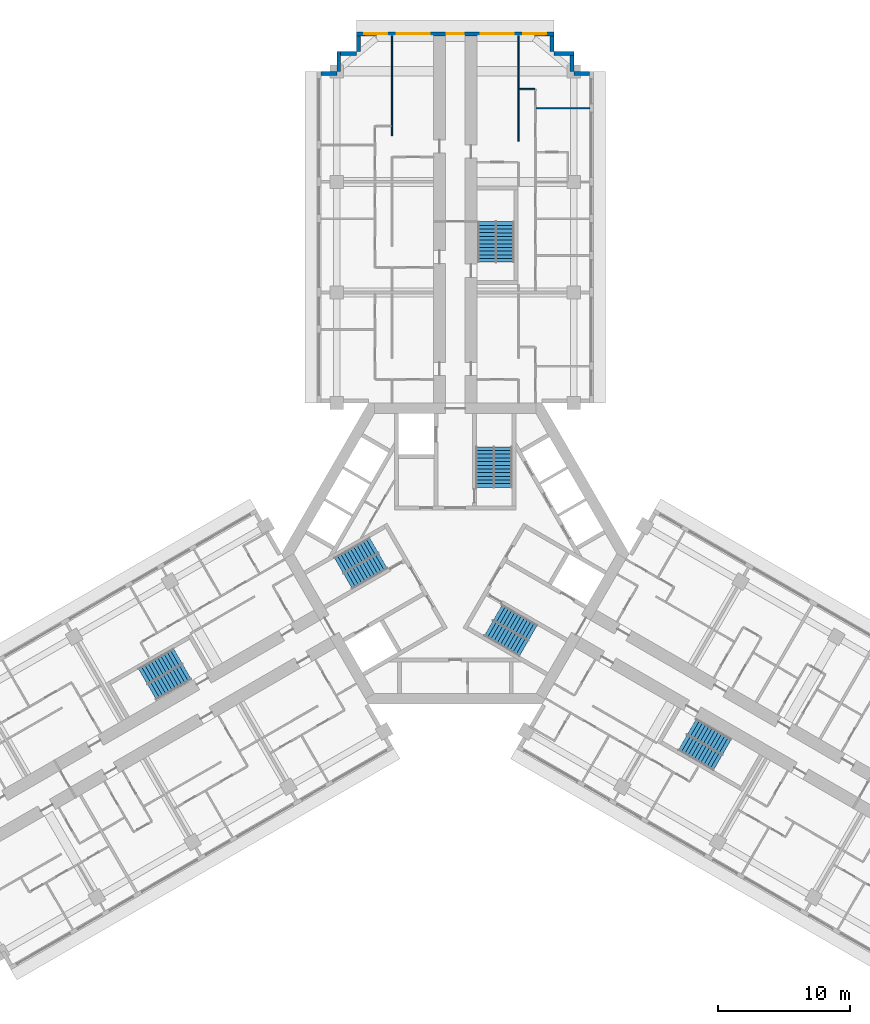
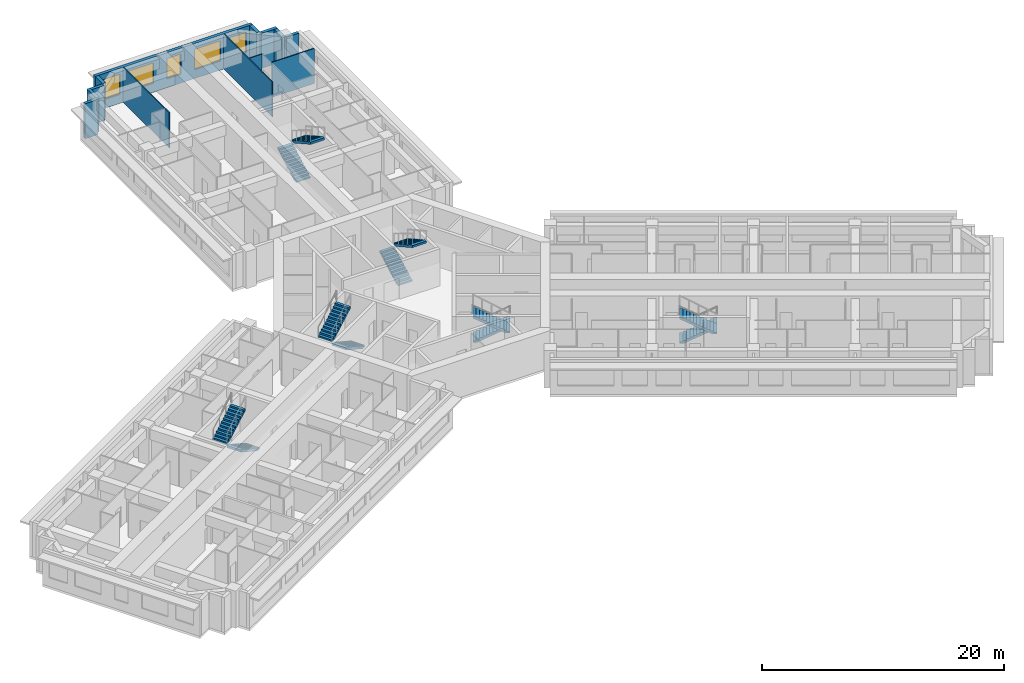
# One storey, part 13 of 14: 13 walls, 12 stair flights, 5 windows, 5 openings, 6 elements without a shape of their own.
"""IFC4 building model written with IfcOpenShell, lengths in metres."""

from ifc_helpers import new_model, si_unit, direction, frame, frame_2d, origin, place, context, subcontext, project, spatial, polyline, rectangle, outline, extrude, material, layer, layer_set, type_object, element, fill, aggregate, save


model = new_model("IFC4")

# Units and contexts
model_context = context("Model", 3, precision=1e-05, world=origin(), true_north=direction((0.0, 1.0)))
body_context = subcontext(model_context, "Body", "Model", "MODEL_VIEW")
ifc_project = project(units=[si_unit("LENGTHUNIT", "METRE"), si_unit("AREAUNIT", "SQUARE_METRE"), si_unit("VOLUMEUNIT", "CUBIC_METRE"), si_unit("PLANEANGLEUNIT", "RADIAN"), si_unit("MASSUNIT", "GRAM", prefix="KILO")], contexts=[model_context])

# Site, building, storey
site_placement = place(None, origin())
site = spatial("IfcSite", under=ifc_project, at=site_placement, CompositionType="ELEMENT")
building_placement = place(site_placement, origin())
building = spatial("IfcBuilding", under=site, at=building_placement, Name="Impinga Residences", CompositionType="ELEMENT")
storey_placement = place(building_placement, frame((0.0, 0.0, 117.25)))
storey = spatial("IfcBuildingStorey", under=building, at=storey_placement, Name="L28", CompositionType="ELEMENT", Elevation=117.25)

# Walls
ifc_material_1 = material(Name="Terracotta rainscreen on blockwork", Category="masonry")
ifc_layer_1 = layer(ifc_material_1, 0.300048828125)
ifc_layer_set_1 = layer_set([ifc_layer_1], Name="EW1 external wall, terracotta rainscreen on blockwork 300")
wall_type_1 = type_object("IfcWallType", Name="EW1 external wall, terracotta rainscreen on blockwork 300", PredefinedType="SOLIDWALL", material=ifc_layer_set_1)
wall_1_placement = place(storey_placement, frame((-10.199951171875, 36.4814453125, 0.0), z_axis=(0.0, 0.0, 1.0), x_axis=(1.0, 0.0, 0.0)))
element("IfcWall", 1, at=wall_1_placement, inside=storey, type_object=wall_type_1, Name="External wall EW1 L28", PredefinedType="SOLIDWALL", context=body_context, shape_type="SweptSolid", body=[
    extrude(rectangle(XDim=1.199951171875, YDim=0.300048828125, at=frame_2d((0.60009765625, 0.0))), origin(), (0.0, 0.0, 1.0), 3.530029296875),
])
wall_2_placement = place(storey_placement, frame((-8.85009765625, 36.636474609375, 0.0), z_axis=(0.0, 0.0, 1.0), x_axis=(0.0, 1.0, 0.0)))
element("IfcWall", 2, at=wall_2_placement, inside=storey, type_object=wall_type_1, Name="External wall EW1 L28", PredefinedType="SOLIDWALL", context=body_context, shape_type="SweptSolid", body=[
    extrude(rectangle(XDim=1.4951171875, YDim=0.300048828125, at=frame_2d((0.74755859375, 0.0))), origin(), (0.0, 0.0, 1.0), 3.530029296875),
])
wall_3_placement = place(storey_placement, frame((-8.699951171875, 37.9814453125, 0.0), z_axis=(0.0, 0.0, 1.0), x_axis=(1.0, 0.0, 0.0)))
element("IfcWall", 3, at=wall_3_placement, inside=storey, type_object=wall_type_1, Name="External wall EW1 L28", PredefinedType="SOLIDWALL", context=body_context, shape_type="SweptSolid", body=[
    extrude(rectangle(XDim=1.199951171875, YDim=0.300048828125, at=frame_2d((0.60009765625, 0.0))), origin(), (0.0, 0.0, 1.0), 3.530029296875),
])
wall_4_placement = place(storey_placement, frame((-7.35009765625, 38.136474609375, 0.0), z_axis=(0.0, 0.0, 1.0), x_axis=(0.0, 1.0, 0.0)))
element("IfcWall", 4, at=wall_4_placement, inside=storey, type_object=wall_type_1, Name="External wall EW1 L28", PredefinedType="SOLIDWALL", context=body_context, shape_type="SweptSolid", body=[
    extrude(rectangle(XDim=1.195068359375, YDim=0.300048828125, at=frame_2d((0.59765625, 0.0))), origin(), (0.0, 0.0, 1.0), 3.530029296875),
])

# Wall, openings, windows
wall_5_placement = place(storey_placement, frame((-7.5, 39.4814453125, 0.0), z_axis=(0.0, 0.0, 1.0), x_axis=(1.0, 0.0, 0.0)))
wall_5 = element("IfcWall", 5, at=wall_5_placement, inside=storey, type_object=wall_type_1, Name="External wall EW1 L28", PredefinedType="SOLIDWALL", context=body_context, shape_type="SweptSolid", body=[
    extrude(rectangle(XDim=15.0, YDim=0.300048828125, at=frame_2d((7.5, 0.0))), origin(), (0.0, 0.0, 1.0), 3.530029296875),
])
opening_1_placement = place(wall_5_placement, frame((0.60009765625, 0.0, 0.89990234375)))
opening_1 = element("IfcOpeningElement", 6, at=opening_1_placement, cuts=wall_5, Name="Opening W1", PredefinedType="OPENING", context=body_context, shape_type="SweptSolid", body=[
    extrude(rectangle(XDim=1.75, YDim=2.050048828125, at=frame_2d((0.875, 1.02490234375))), frame((0.0, 0.159912109375, 0.0), z_axis=(0.0, -1.0, 0.0), x_axis=(1.0, 0.0, 0.0)), (0.0, 0.0, 1.0), 0.320068359375),
])
opening_2_placement = place(wall_5_placement, frame((3.050048828125, 0.0, 0.89990234375)))
opening_2 = element("IfcOpeningElement", 7, at=opening_2_placement, cuts=wall_5, Name="Opening W2", PredefinedType="OPENING", context=body_context, shape_type="SweptSolid", body=[
    extrude(rectangle(XDim=2.5, YDim=2.050048828125, at=frame_2d((1.25, 1.02490234375))), frame((0.0, 0.159912109375, 0.0), z_axis=(0.0, -1.0, 0.0), x_axis=(1.0, 0.0, 0.0)), (0.0, 0.0, 1.0), 0.320068359375),
])
opening_3_placement = place(wall_5_placement, frame((6.85009765625, 0.0, 0.89990234375)))
opening_3 = element("IfcOpeningElement", 8, at=opening_3_placement, cuts=wall_5, Name="Opening W17", PredefinedType="OPENING", context=body_context, shape_type="SweptSolid", body=[
    extrude(rectangle(XDim=1.300048828125, YDim=2.050048828125, at=frame_2d((0.64990234375, 1.02490234375))), frame((0.0, 0.159912109375, 0.0), z_axis=(0.0, -1.0, 0.0), x_axis=(1.0, 0.0, 0.0)), (0.0, 0.0, 1.0), 0.320068359375),
])
opening_4_placement = place(wall_5_placement, frame((9.449951171875, 0.0, 0.89990234375)))
opening_4 = element("IfcOpeningElement", 9, at=opening_4_placement, cuts=wall_5, Name="Opening W2", PredefinedType="OPENING", context=body_context, shape_type="SweptSolid", body=[
    extrude(rectangle(XDim=2.5, YDim=2.050048828125, at=frame_2d((1.25, 1.02490234375))), frame((0.0, 0.159912109375, 0.0), z_axis=(0.0, -1.0, 0.0), x_axis=(1.0, 0.0, 0.0)), (0.0, 0.0, 1.0), 0.320068359375),
])
opening_5_placement = place(wall_5_placement, frame((12.64990234375, 0.0, 0.89990234375)))
opening_5 = element("IfcOpeningElement", 10, at=opening_5_placement, cuts=wall_5, Name="Opening W1", PredefinedType="OPENING", context=body_context, shape_type="SweptSolid", body=[
    extrude(rectangle(XDim=1.75, YDim=2.050048828125, at=frame_2d((0.875, 1.02490234375))), frame((0.0, 0.159912109375, 0.0), z_axis=(0.0, -1.0, 0.0), x_axis=(1.0, 0.0, 0.0)), (0.0, 0.0, 1.0), 0.320068359375),
])
ifc_material_2 = material(Name="Aluminium window, clear double glazing", Category="aluminium")
window_type_1 = type_object("IfcWindowType", Name="W1 ribbon window 1750x2050", PartitioningType="SINGLE_PANEL", PredefinedType="WINDOW", material=ifc_material_2)
window_1_placement = place(opening_1_placement, origin())
window_1 = element("IfcWindow", 11, at=window_1_placement, inside=storey, type_object=window_type_1, Name="Window L28", OverallHeight=2.050048828125, OverallWidth=1.75, PartitioningType="SINGLE_PANEL", PredefinedType="WINDOW", context=body_context, shape_type="SweptSolid", body=[
    extrude(rectangle(XDim=1.75, YDim=2.050048828125, at=frame_2d((0.875, 1.02490234375))), frame((0.0, 0.030029296875, 0.0), z_axis=(0.0, -1.0, 0.0), x_axis=(1.0, 0.0, 0.0)), (0.0, 0.0, 1.0), 0.06005859375),
])
fill(opening_1, window_1)
window_2_placement = place(opening_5_placement, origin())
window_2 = element("IfcWindow", 12, at=window_2_placement, inside=storey, type_object=window_type_1, Name="Window L28", OverallHeight=2.050048828125, OverallWidth=1.75, PartitioningType="SINGLE_PANEL", PredefinedType="WINDOW", context=body_context, shape_type="SweptSolid", body=[
    extrude(rectangle(XDim=1.75, YDim=2.050048828125, at=frame_2d((0.875, 1.02490234375))), frame((0.0, 0.030029296875, 0.0), z_axis=(0.0, -1.0, 0.0), x_axis=(1.0, 0.0, 0.0)), (0.0, 0.0, 1.0), 0.06005859375),
])
fill(opening_5, window_2)
window_type_2 = type_object("IfcWindowType", Name="W17 ribbon window 1300x2050", PartitioningType="SINGLE_PANEL", PredefinedType="WINDOW", material=ifc_material_2)
window_3_placement = place(opening_3_placement, origin())
window_3 = element("IfcWindow", 13, at=window_3_placement, inside=storey, type_object=window_type_2, Name="Window L28", OverallHeight=2.050048828125, OverallWidth=1.300048828125, PartitioningType="SINGLE_PANEL", PredefinedType="WINDOW", context=body_context, shape_type="SweptSolid", body=[
    extrude(rectangle(XDim=1.300048828125, YDim=2.050048828125, at=frame_2d((0.64990234375, 1.02490234375))), frame((0.0, 0.030029296875, 0.0), z_axis=(0.0, -1.0, 0.0), x_axis=(1.0, 0.0, 0.0)), (0.0, 0.0, 1.0), 0.06005859375),
])
fill(opening_3, window_3)
window_type_3 = type_object("IfcWindowType", Name="W2 ribbon window 2500x2050", PartitioningType="SINGLE_PANEL", PredefinedType="WINDOW", material=ifc_material_2)
window_4_placement = place(opening_2_placement, origin())
window_4 = element("IfcWindow", 14, at=window_4_placement, inside=storey, type_object=window_type_3, Name="Window L28", OverallHeight=2.050048828125, OverallWidth=2.5, PartitioningType="SINGLE_PANEL", PredefinedType="WINDOW", context=body_context, shape_type="SweptSolid", body=[
    extrude(rectangle(XDim=2.5, YDim=2.050048828125, at=frame_2d((1.25, 1.02490234375))), frame((0.0, 0.030029296875, 0.0), z_axis=(0.0, -1.0, 0.0), x_axis=(1.0, 0.0, 0.0)), (0.0, 0.0, 1.0), 0.06005859375),
])
fill(opening_2, window_4)
window_5_placement = place(opening_4_placement, origin())
window_5 = element("IfcWindow", 15, at=window_5_placement, inside=storey, type_object=window_type_3, Name="Window L28", OverallHeight=2.050048828125, OverallWidth=2.5, PartitioningType="SINGLE_PANEL", PredefinedType="WINDOW", context=body_context, shape_type="SweptSolid", body=[
    extrude(rectangle(XDim=2.5, YDim=2.050048828125, at=frame_2d((1.25, 1.02490234375))), frame((0.0, 0.030029296875, 0.0), z_axis=(0.0, -1.0, 0.0), x_axis=(1.0, 0.0, 0.0)), (0.0, 0.0, 1.0), 0.06005859375),
])
fill(opening_4, window_5)

# Walls
wall_6_placement = place(storey_placement, frame((7.35009765625, 39.33154296875, 0.0), z_axis=(0.0, 0.0, 1.0), x_axis=(0.0, -1.0, 0.0)))
element("IfcWall", 16, at=wall_6_placement, inside=storey, type_object=wall_type_1, Name="External wall EW1 L28", PredefinedType="SOLIDWALL", context=body_context, shape_type="SweptSolid", body=[
    extrude(rectangle(XDim=1.195068359375, YDim=0.300048828125, at=frame_2d((0.59765625, 0.0))), origin(), (0.0, 0.0, 1.0), 3.530029296875),
])
wall_7_placement = place(storey_placement, frame((7.5, 37.9814453125, 0.0), z_axis=(0.0, 0.0, 1.0), x_axis=(1.0, 0.0, 0.0)))
element("IfcWall", 17, at=wall_7_placement, inside=storey, type_object=wall_type_1, Name="External wall EW1 L28", PredefinedType="SOLIDWALL", context=body_context, shape_type="SweptSolid", body=[
    extrude(rectangle(XDim=1.5, YDim=0.300048828125, at=frame_2d((0.75, 0.0))), origin(), (0.0, 0.0, 1.0), 3.530029296875),
])
wall_8_placement = place(storey_placement, frame((8.85009765625, 37.83154296875, 0.0), z_axis=(0.0, 0.0, 1.0), x_axis=(0.0, -1.0, 0.0)))
element("IfcWall", 18, at=wall_8_placement, inside=storey, type_object=wall_type_1, Name="External wall EW1 L28", PredefinedType="SOLIDWALL", context=body_context, shape_type="SweptSolid", body=[
    extrude(rectangle(XDim=1.199951171875, YDim=0.300048828125, at=frame_2d((0.60009765625, 0.0))), origin(), (0.0, 0.0, 1.0), 3.530029296875),
])
wall_9_placement = place(storey_placement, frame((9.0048828125, 36.4814453125, 0.0), z_axis=(0.0, 0.0, 1.0), x_axis=(1.0, 0.0, 0.0)))
element("IfcWall", 19, at=wall_9_placement, inside=storey, type_object=wall_type_1, Name="External wall EW1 L28", PredefinedType="SOLIDWALL", context=body_context, shape_type="SweptSolid", body=[
    extrude(rectangle(XDim=1.195068359375, YDim=0.300048828125, at=frame_2d((0.59765625, 0.0))), origin(), (0.0, 0.0, 1.0), 3.530029296875),
])
ifc_material_3 = material(Name="Gypsum board on steel studs", Category="steel")
ifc_layer_2 = layer(ifc_material_3, 0.10009765625)
ifc_layer_set_2 = layer_set([ifc_layer_2], Name="Gypsum board on steel studs")
wall_type_2 = type_object("IfcWallType", Name="IP1 partition 100", PredefinedType="PARTITIONING", material=ifc_layer_set_2)
wall_10_placement = place(storey_placement, frame((-4.800048828125, 31.7314453125, 0.0), z_axis=(0.0, 0.0, 1.0), x_axis=(0.0, 1.0, 0.0)))
element("IfcWall", 20, at=wall_10_placement, inside=storey, type_object=wall_type_2, Name="Partition L28-NA3:DIV1", PredefinedType="PARTITIONING", context=body_context, shape_type="SweptSolid", body=[
    extrude(rectangle(XDim=7.60009765625, YDim=0.10009765625, at=frame_2d((3.800048828125, 0.0))), origin(), (0.0, 0.0, 1.0), 3.530029296875),
])
wall_11_placement = place(storey_placement, frame((4.800048828125, 31.33154296875, 0.0), z_axis=(0.0, 0.0, 1.0), x_axis=(0.0, 1.0, 0.0)))
element("IfcWall", 21, at=wall_11_placement, inside=storey, type_object=wall_type_2, Name="Partition L28-NF2:DIV2", PredefinedType="PARTITIONING", context=body_context, shape_type="SweptSolid", body=[
    extrude(rectangle(XDim=8.0, YDim=0.10009765625, at=frame_2d((4.0, 0.0))), origin(), (0.0, 0.0, 1.0), 3.530029296875),
])
wall_12_placement = place(storey_placement, frame((4.85009765625, 35.281494140625, 0.0), z_axis=(0.0, 0.0, 1.0), x_axis=(1.0, 0.0, 0.0)))
element("IfcWall", 22, at=wall_12_placement, inside=storey, type_object=wall_type_2, Name="Partition L28-NF2:SE1", PredefinedType="PARTITIONING", context=body_context, shape_type="SweptSolid", body=[
    extrude(rectangle(XDim=1.199951171875, YDim=0.10009765625, at=frame_2d((0.60009765625, 0.0))), origin(), (0.0, 0.0, 1.0), 3.530029296875),
])
wall_13_placement = place(storey_placement, frame((6.14990234375, 33.83154296875, 0.0), z_axis=(0.0, 0.0, 1.0), x_axis=(1.0, 0.0, 0.0)))
element("IfcWall", 23, at=wall_13_placement, inside=storey, type_object=wall_type_2, Name="Partition L28-NF2:OB4", PredefinedType="PARTITIONING", context=body_context, shape_type="SweptSolid", body=[
    extrude(rectangle(XDim=4.050048828125, YDim=0.10009765625, at=frame_2d((2.02490234375, 0.0))), origin(), (0.0, 0.0, 1.0), 3.530029296875),
])

# Stair, stair flights
ifc_material_4 = material(Name="Concrete C40/50", Category="concrete")
stair_type_1 = type_object("IfcStairType", Name="STR core stair 3750 storey, 24 risers", PredefinedType="HALF_TURN_STAIR", material=ifc_material_4)
stair_1_placement = place(storey_placement, origin())
stair_1 = element("IfcStair", 24, at=stair_1_placement, inside=storey, type_object=stair_type_1, Name="Stair ST1 L28", PredefinedType="HALF_TURN_STAIR")
stair_flight_type = type_object("IfcStairFlightType", Name="SF 12 risers of 156", PredefinedType="STRAIGHT", material=ifc_material_4)
stair_flight_1_placement = place(storey_placement, frame((2.27490234375, 5.030029296875, 0.0), z_axis=(0.0, 0.0, 1.0), x_axis=(0.0, 1.0, 0.0)))
stair_flight_1 = element("IfcStairFlight", 25, at=stair_flight_1_placement, type_object=stair_flight_type, Name="ST1 flight 1", NumberOfRisers=12, NumberOfTreads=11, PredefinedType="STRAIGHT", RiserHeight=0.15625, TreadLength=0.28, context=body_context, shape_type="SweptSolid", body=[
    extrude(outline(polyline([(0.0, 0.0), (0.0, 0.15625), (0.280029296875, 0.15625), (0.280029296875, 0.3125), (0.56005859375, 0.3125), (0.56005859375, 0.46875), (0.840087890625, 0.46875), (0.840087890625, 0.625), (1.1201171875, 0.625), (1.1201171875, 0.78125), (1.39990234375, 0.78125), (1.39990234375, 0.9375), (1.679931640625, 0.9375), (1.679931640625, 1.09375), (1.9599609375, 1.09375), (1.9599609375, 1.25), (2.239990234375, 1.25), (2.239990234375, 1.40625), (2.52001953125, 1.40625), (2.52001953125, 1.5625), (2.800048828125, 1.5625), (2.800048828125, 1.71875), (3.080078125, 1.71875), (3.080078125, 1.875), (3.080078125, 1.5126953125), (0.369140625, 0.0), (0.0, 0.0)])), frame((0.0, 0.675048828125, 0.0), z_axis=(0.0, -1.0, 0.0), x_axis=(1.0, 0.0, 0.0)), (0.0, 0.0, 1.0), 1.35009765625),
])
stair_flight_2_placement = place(storey_placement, frame((3.625, 8.110107421875, 1.875), z_axis=(0.0, 0.0, 1.0), x_axis=(0.0, -1.0, 0.0)))
stair_flight_2 = element("IfcStairFlight", 26, at=stair_flight_2_placement, type_object=stair_flight_type, Name="ST1 flight 2", NumberOfRisers=12, NumberOfTreads=11, PredefinedType="STRAIGHT", RiserHeight=0.15625, TreadLength=0.28, context=body_context, shape_type="SweptSolid", body=[
    extrude(outline(polyline([(0.0, 0.0), (0.0, 0.15625), (0.280029296875, 0.15625), (0.280029296875, 0.3125), (0.56005859375, 0.3125), (0.56005859375, 0.46875), (0.840087890625, 0.46875), (0.840087890625, 0.625), (1.1201171875, 0.625), (1.1201171875, 0.78125), (1.39990234375, 0.78125), (1.39990234375, 0.9375), (1.679931640625, 0.9375), (1.679931640625, 1.09375), (1.9599609375, 1.09375), (1.9599609375, 1.25), (2.239990234375, 1.25), (2.239990234375, 1.40625), (2.52001953125, 1.40625), (2.52001953125, 1.5625), (2.800048828125, 1.5625), (2.800048828125, 1.71875), (3.080078125, 1.71875), (3.080078125, 1.875), (3.080078125, 1.5126953125), (0.369140625, 0.0), (0.0, 0.0)])), frame((0.0, 0.675048828125, 0.0), z_axis=(0.0, -1.0, 0.0), x_axis=(1.0, 0.0, 0.0)), (0.0, 0.0, 1.0), 1.35009765625),
])
aggregate(stair_1, [stair_flight_1, stair_flight_2])

stair_2_placement = place(storey_placement, origin())
stair_2 = element("IfcStair", 27, at=stair_2_placement, inside=storey, type_object=stair_type_1, Name="Stair ST2 L28", PredefinedType="HALF_TURN_STAIR")
stair_flight_3_placement = place(storey_placement, frame((-5.49365234375, -0.544677734375, 0.0), z_axis=(0.0, 0.0, 1.0), x_axis=(-0.866025403784, -0.5, 0.0)))
stair_flight_3 = element("IfcStairFlight", 28, at=stair_flight_3_placement, type_object=stair_flight_type, Name="ST2 flight 1", NumberOfRisers=12, NumberOfTreads=11, PredefinedType="STRAIGHT", RiserHeight=0.15625, TreadLength=0.28, context=body_context, shape_type="SweptSolid", body=[
    extrude(outline(polyline([(0.0, 0.0), (0.0, 0.15625), (0.280029296875, 0.15625), (0.280029296875, 0.3125), (0.56005859375, 0.3125), (0.56005859375, 0.46875), (0.840087890625, 0.46875), (0.840087890625, 0.625), (1.1201171875, 0.625), (1.1201171875, 0.78125), (1.39990234375, 0.78125), (1.39990234375, 0.9375), (1.679931640625, 0.9375), (1.679931640625, 1.09375), (1.9599609375, 1.09375), (1.9599609375, 1.25), (2.239990234375, 1.25), (2.239990234375, 1.40625), (2.52001953125, 1.40625), (2.52001953125, 1.5625), (2.800048828125, 1.5625), (2.800048828125, 1.71875), (3.080078125, 1.71875), (3.080078125, 1.875), (3.080078125, 1.5126953125), (0.369140625, 0.0), (0.0, 0.0)])), frame((0.0, 0.675048828125, 0.0), z_axis=(0.0, -1.0, 0.0), x_axis=(1.0, 0.0, 0.0)), (0.0, 0.0, 1.0), 1.35009765625),
])
stair_flight_4_placement = place(storey_placement, frame((-8.8359375, -0.915771484375, 1.875), z_axis=(0.0, 0.0, 1.0), x_axis=(0.866025403784, 0.5, 0.0)))
stair_flight_4 = element("IfcStairFlight", 29, at=stair_flight_4_placement, type_object=stair_flight_type, Name="ST2 flight 2", NumberOfRisers=12, NumberOfTreads=11, PredefinedType="STRAIGHT", RiserHeight=0.15625, TreadLength=0.28, context=body_context, shape_type="SweptSolid", body=[
    extrude(outline(polyline([(0.0, 0.0), (0.0, 0.15625), (0.280029296875, 0.15625), (0.280029296875, 0.3125), (0.56005859375, 0.3125), (0.56005859375, 0.46875), (0.840087890625, 0.46875), (0.840087890625, 0.625), (1.1201171875, 0.625), (1.1201171875, 0.78125), (1.39990234375, 0.78125), (1.39990234375, 0.9375), (1.679931640625, 0.9375), (1.679931640625, 1.09375), (1.9599609375, 1.09375), (1.9599609375, 1.25), (2.239990234375, 1.25), (2.239990234375, 1.40625), (2.52001953125, 1.40625), (2.52001953125, 1.5625), (2.800048828125, 1.5625), (2.800048828125, 1.71875), (3.080078125, 1.71875), (3.080078125, 1.875), (3.080078125, 1.5126953125), (0.369140625, 0.0), (0.0, 0.0)])), frame((0.0, 0.675048828125, 0.0), z_axis=(0.0, -1.0, 0.0), x_axis=(1.0, 0.0, 0.0)), (0.0, 0.0, 1.0), 1.35009765625),
])
aggregate(stair_2, [stair_flight_3, stair_flight_4])

stair_3_placement = place(storey_placement, origin())
stair_3 = element("IfcStair", 30, at=stair_3_placement, inside=storey, type_object=stair_type_1, Name="Stair ST3 L28", PredefinedType="HALF_TURN_STAIR")
stair_flight_5_placement = place(storey_placement, frame((3.218505859375, -4.485107421875, 0.0), z_axis=(0.0, 0.0, 1.0), x_axis=(0.866025403784, -0.5, 0.0)))
stair_flight_5 = element("IfcStairFlight", 31, at=stair_flight_5_placement, type_object=stair_flight_type, Name="ST3 flight 1", NumberOfRisers=12, NumberOfTreads=11, PredefinedType="STRAIGHT", RiserHeight=0.15625, TreadLength=0.28, context=body_context, shape_type="SweptSolid", body=[
    extrude(outline(polyline([(0.0, 0.0), (0.0, 0.15625), (0.280029296875, 0.15625), (0.280029296875, 0.3125), (0.56005859375, 0.3125), (0.56005859375, 0.46875), (0.840087890625, 0.46875), (0.840087890625, 0.625), (1.1201171875, 0.625), (1.1201171875, 0.78125), (1.39990234375, 0.78125), (1.39990234375, 0.9375), (1.679931640625, 0.9375), (1.679931640625, 1.09375), (1.9599609375, 1.09375), (1.9599609375, 1.25), (2.239990234375, 1.25), (2.239990234375, 1.40625), (2.52001953125, 1.40625), (2.52001953125, 1.5625), (2.800048828125, 1.5625), (2.800048828125, 1.71875), (3.080078125, 1.71875), (3.080078125, 1.875), (3.080078125, 1.5126953125), (0.369140625, 0.0), (0.0, 0.0)])), frame((0.0, 0.675048828125, 0.0), z_axis=(0.0, -1.0, 0.0), x_axis=(1.0, 0.0, 0.0)), (0.0, 0.0, 1.0), 1.35009765625),
])
stair_flight_6_placement = place(storey_placement, frame((5.2109375, -7.1943359375, 1.875), z_axis=(0.0, 0.0, 1.0), x_axis=(-0.866025403784, 0.5, 0.0)))
stair_flight_6 = element("IfcStairFlight", 32, at=stair_flight_6_placement, type_object=stair_flight_type, Name="ST3 flight 2", NumberOfRisers=12, NumberOfTreads=11, PredefinedType="STRAIGHT", RiserHeight=0.15625, TreadLength=0.28, context=body_context, shape_type="SweptSolid", body=[
    extrude(outline(polyline([(0.0, 0.0), (0.0, 0.15625), (0.280029296875, 0.15625), (0.280029296875, 0.3125), (0.56005859375, 0.3125), (0.56005859375, 0.46875), (0.840087890625, 0.46875), (0.840087890625, 0.625), (1.1201171875, 0.625), (1.1201171875, 0.78125), (1.39990234375, 0.78125), (1.39990234375, 0.9375), (1.679931640625, 0.9375), (1.679931640625, 1.09375), (1.9599609375, 1.09375), (1.9599609375, 1.25), (2.239990234375, 1.25), (2.239990234375, 1.40625), (2.52001953125, 1.40625), (2.52001953125, 1.5625), (2.800048828125, 1.5625), (2.800048828125, 1.71875), (3.080078125, 1.71875), (3.080078125, 1.875), (3.080078125, 1.5126953125), (0.369140625, 0.0), (0.0, 0.0)])), frame((0.0, 0.675048828125, 0.0), z_axis=(0.0, -1.0, 0.0), x_axis=(1.0, 0.0, 0.0)), (0.0, 0.0, 1.0), 1.35009765625),
])
aggregate(stair_3, [stair_flight_5, stair_flight_6])

stair_type_2 = type_object("IfcStairType", Name="STR wing stair 3750 storey, 24 risers", PredefinedType="HALF_TURN_STAIR", material=ifc_material_4)
stair_4_placement = place(storey_placement, origin())
stair_4 = element("IfcStair", 33, at=stair_4_placement, inside=storey, type_object=stair_type_2, Name="Stair WS1 L28", PredefinedType="HALF_TURN_STAIR")
stair_flight_7_placement = place(storey_placement, frame((2.425048828125, 22.131591796875, 0.0), z_axis=(0.0, 0.0, 1.0), x_axis=(0.0, 1.0, 0.0)))
stair_flight_7 = element("IfcStairFlight", 34, at=stair_flight_7_placement, type_object=stair_flight_type, Name="WS1 flight 1", NumberOfRisers=12, NumberOfTreads=11, PredefinedType="STRAIGHT", RiserHeight=0.15625, TreadLength=0.28, context=body_context, shape_type="SweptSolid", body=[
    extrude(outline(polyline([(0.0, 0.0), (0.0, 0.15625), (0.280029296875, 0.15625), (0.280029296875, 0.3125), (0.56005859375, 0.3125), (0.56005859375, 0.46875), (0.840087890625, 0.46875), (0.840087890625, 0.625), (1.1201171875, 0.625), (1.1201171875, 0.78125), (1.39990234375, 0.78125), (1.39990234375, 0.9375), (1.679931640625, 0.9375), (1.679931640625, 1.09375), (1.9599609375, 1.09375), (1.9599609375, 1.25), (2.239990234375, 1.25), (2.239990234375, 1.40625), (2.52001953125, 1.40625), (2.52001953125, 1.5625), (2.800048828125, 1.5625), (2.800048828125, 1.71875), (3.080078125, 1.71875), (3.080078125, 1.875), (3.080078125, 1.5126953125), (0.369140625, 0.0), (0.0, 0.0)])), frame((0.0, 0.675048828125, 0.0), z_axis=(0.0, -1.0, 0.0), x_axis=(1.0, 0.0, 0.0)), (0.0, 0.0, 1.0), 1.35009765625),
])
stair_flight_8_placement = place(storey_placement, frame((3.77490234375, 25.21142578125, 1.875), z_axis=(0.0, 0.0, 1.0), x_axis=(0.0, -1.0, 0.0)))
stair_flight_8 = element("IfcStairFlight", 35, at=stair_flight_8_placement, type_object=stair_flight_type, Name="WS1 flight 2", NumberOfRisers=12, NumberOfTreads=11, PredefinedType="STRAIGHT", RiserHeight=0.15625, TreadLength=0.28, context=body_context, shape_type="SweptSolid", body=[
    extrude(outline(polyline([(0.0, 0.0), (0.0, 0.15625), (0.280029296875, 0.15625), (0.280029296875, 0.3125), (0.56005859375, 0.3125), (0.56005859375, 0.46875), (0.840087890625, 0.46875), (0.840087890625, 0.625), (1.1201171875, 0.625), (1.1201171875, 0.78125), (1.39990234375, 0.78125), (1.39990234375, 0.9375), (1.679931640625, 0.9375), (1.679931640625, 1.09375), (1.9599609375, 1.09375), (1.9599609375, 1.25), (2.239990234375, 1.25), (2.239990234375, 1.40625), (2.52001953125, 1.40625), (2.52001953125, 1.5625), (2.800048828125, 1.5625), (2.800048828125, 1.71875), (3.080078125, 1.71875), (3.080078125, 1.875), (3.080078125, 1.5126953125), (0.369140625, 0.0), (0.0, 0.0)])), frame((0.0, 0.675048828125, 0.0), z_axis=(0.0, -1.0, 0.0), x_axis=(1.0, 0.0, 0.0)), (0.0, 0.0, 1.0), 1.35009765625),
])
aggregate(stair_4, [stair_flight_7, stair_flight_8])

stair_5_placement = place(storey_placement, origin())
stair_5 = element("IfcStair", 36, at=stair_5_placement, inside=storey, type_object=stair_type_2, Name="Stair WS2 L28", PredefinedType="HALF_TURN_STAIR")
stair_flight_9_placement = place(storey_placement, frame((-20.37890625, -8.965576171875, 0.0), z_axis=(0.0, 0.0, 1.0), x_axis=(-0.866025403784, -0.5, 0.0)))
stair_flight_9 = element("IfcStairFlight", 37, at=stair_flight_9_placement, type_object=stair_flight_type, Name="WS2 flight 1", NumberOfRisers=12, NumberOfTreads=11, PredefinedType="STRAIGHT", RiserHeight=0.15625, TreadLength=0.28, context=body_context, shape_type="SweptSolid", body=[
    extrude(outline(polyline([(0.0, 0.0), (0.0, 0.15625), (0.280029296875, 0.15625), (0.280029296875, 0.3125), (0.56005859375, 0.3125), (0.56005859375, 0.46875), (0.840087890625, 0.46875), (0.840087890625, 0.625), (1.1201171875, 0.625), (1.1201171875, 0.78125), (1.39990234375, 0.78125), (1.39990234375, 0.9375), (1.679931640625, 0.9375), (1.679931640625, 1.09375), (1.9599609375, 1.09375), (1.9599609375, 1.25), (2.239990234375, 1.25), (2.239990234375, 1.40625), (2.52001953125, 1.40625), (2.52001953125, 1.5625), (2.800048828125, 1.5625), (2.800048828125, 1.71875), (3.080078125, 1.71875), (3.080078125, 1.875), (3.080078125, 1.5126953125), (0.369140625, 0.0), (0.0, 0.0)])), frame((0.0, 0.675048828125, 0.0), z_axis=(0.0, -1.0, 0.0), x_axis=(1.0, 0.0, 0.0)), (0.0, 0.0, 1.0), 1.35009765625),
])
stair_flight_10_placement = place(storey_placement, frame((-23.721435546875, -9.33642578125, 1.875), z_axis=(0.0, 0.0, 1.0), x_axis=(0.866025403784, 0.5, 0.0)))
stair_flight_10 = element("IfcStairFlight", 38, at=stair_flight_10_placement, type_object=stair_flight_type, Name="WS2 flight 2", NumberOfRisers=12, NumberOfTreads=11, PredefinedType="STRAIGHT", RiserHeight=0.15625, TreadLength=0.28, context=body_context, shape_type="SweptSolid", body=[
    extrude(outline(polyline([(0.0, 0.0), (0.0, 0.15625), (0.280029296875, 0.15625), (0.280029296875, 0.3125), (0.56005859375, 0.3125), (0.56005859375, 0.46875), (0.840087890625, 0.46875), (0.840087890625, 0.625), (1.1201171875, 0.625), (1.1201171875, 0.78125), (1.39990234375, 0.78125), (1.39990234375, 0.9375), (1.679931640625, 0.9375), (1.679931640625, 1.09375), (1.9599609375, 1.09375), (1.9599609375, 1.25), (2.239990234375, 1.25), (2.239990234375, 1.40625), (2.52001953125, 1.40625), (2.52001953125, 1.5625), (2.800048828125, 1.5625), (2.800048828125, 1.71875), (3.080078125, 1.71875), (3.080078125, 1.875), (3.080078125, 1.5126953125), (0.369140625, 0.0), (0.0, 0.0)])), frame((0.0, 0.675048828125, 0.0), z_axis=(0.0, -1.0, 0.0), x_axis=(1.0, 0.0, 0.0)), (0.0, 0.0, 1.0), 1.35009765625),
])
aggregate(stair_5, [stair_flight_9, stair_flight_10])

stair_6_placement = place(storey_placement, origin())
stair_6 = element("IfcStair", 39, at=stair_6_placement, inside=storey, type_object=stair_type_2, Name="Stair WS3 L28", PredefinedType="HALF_TURN_STAIR")
stair_flight_11_placement = place(storey_placement, frame((17.953857421875, -13.165771484375, 0.0), z_axis=(0.0, 0.0, 1.0), x_axis=(0.866025403784, -0.5, 0.0)))
stair_flight_11 = element("IfcStairFlight", 40, at=stair_flight_11_placement, type_object=stair_flight_type, Name="WS3 flight 1", NumberOfRisers=12, NumberOfTreads=11, PredefinedType="STRAIGHT", RiserHeight=0.15625, TreadLength=0.28, context=body_context, shape_type="SweptSolid", body=[
    extrude(outline(polyline([(0.0, 0.0), (0.0, 0.15625), (0.280029296875, 0.15625), (0.280029296875, 0.3125), (0.56005859375, 0.3125), (0.56005859375, 0.46875), (0.840087890625, 0.46875), (0.840087890625, 0.625), (1.1201171875, 0.625), (1.1201171875, 0.78125), (1.39990234375, 0.78125), (1.39990234375, 0.9375), (1.679931640625, 0.9375), (1.679931640625, 1.09375), (1.9599609375, 1.09375), (1.9599609375, 1.25), (2.239990234375, 1.25), (2.239990234375, 1.40625), (2.52001953125, 1.40625), (2.52001953125, 1.5625), (2.800048828125, 1.5625), (2.800048828125, 1.71875), (3.080078125, 1.71875), (3.080078125, 1.875), (3.080078125, 1.5126953125), (0.369140625, 0.0), (0.0, 0.0)])), frame((0.0, 0.675048828125, 0.0), z_axis=(0.0, -1.0, 0.0), x_axis=(1.0, 0.0, 0.0)), (0.0, 0.0, 1.0), 1.35009765625),
])
stair_flight_12_placement = place(storey_placement, frame((19.9462890625, -15.875, 1.875), z_axis=(0.0, 0.0, 1.0), x_axis=(-0.866025403784, 0.5, 0.0)))
stair_flight_12 = element("IfcStairFlight", 41, at=stair_flight_12_placement, type_object=stair_flight_type, Name="WS3 flight 2", NumberOfRisers=12, NumberOfTreads=11, PredefinedType="STRAIGHT", RiserHeight=0.15625, TreadLength=0.28, context=body_context, shape_type="SweptSolid", body=[
    extrude(outline(polyline([(0.0, 0.0), (0.0, 0.15625), (0.280029296875, 0.15625), (0.280029296875, 0.3125), (0.56005859375, 0.3125), (0.56005859375, 0.46875), (0.840087890625, 0.46875), (0.840087890625, 0.625), (1.1201171875, 0.625), (1.1201171875, 0.78125), (1.39990234375, 0.78125), (1.39990234375, 0.9375), (1.679931640625, 0.9375), (1.679931640625, 1.09375), (1.9599609375, 1.09375), (1.9599609375, 1.25), (2.239990234375, 1.25), (2.239990234375, 1.40625), (2.52001953125, 1.40625), (2.52001953125, 1.5625), (2.800048828125, 1.5625), (2.800048828125, 1.71875), (3.080078125, 1.71875), (3.080078125, 1.875), (3.080078125, 1.5126953125), (0.369140625, 0.0), (0.0, 0.0)])), frame((0.0, 0.675048828125, 0.0), z_axis=(0.0, -1.0, 0.0), x_axis=(1.0, 0.0, 0.0)), (0.0, 0.0, 1.0), 1.35009765625),
])
aggregate(stair_6, [stair_flight_11, stair_flight_12])

save(model, "model.ifc")
